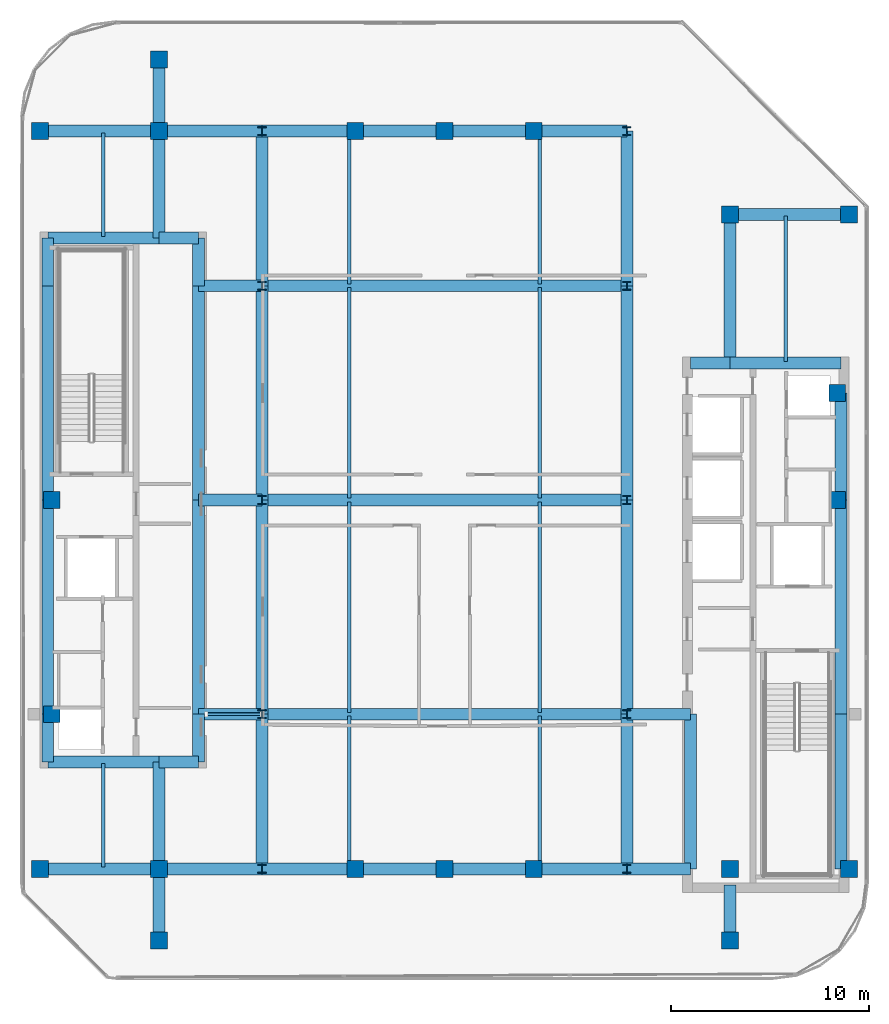
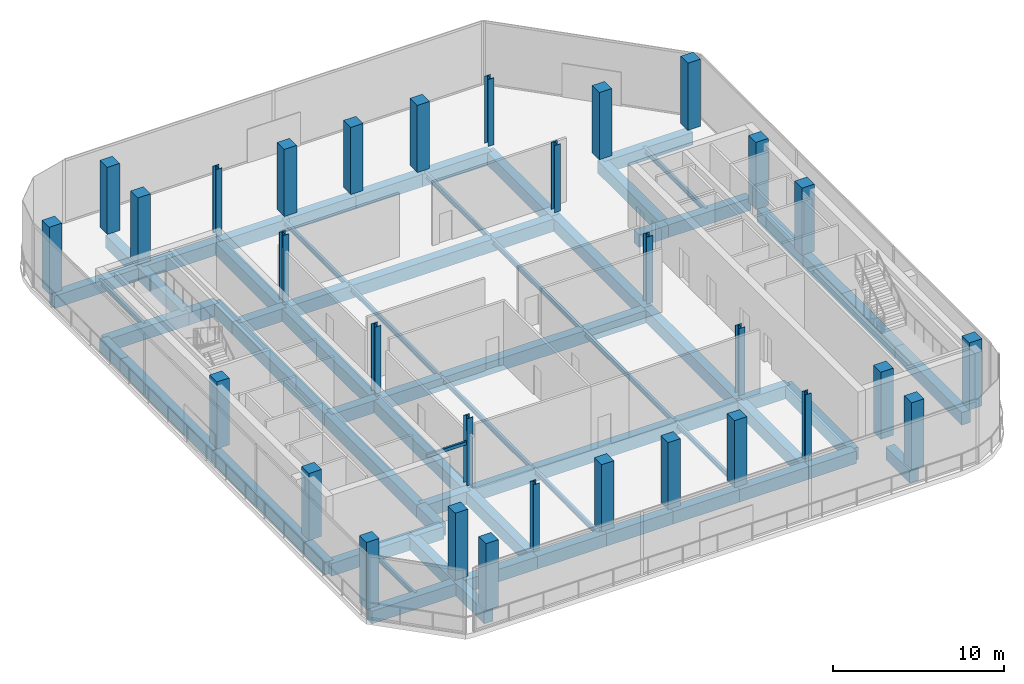
# One storey, part 1 of 13: 65 beams, 31 columns.
"""IFC4 building model written with IfcOpenShell, lengths in metres."""

import ifcopenshell
import ifcopenshell.guid

model = None  # the IFC model being written
_history = None  # IfcOwnerHistory: only IFC2X3 demands one
_inside = {}  # id of a spatial element -> (the spatial element, [elements in it])
_under = {}  # id of a project, library or spatial element -> (it, [spatial elements below it])
_declared = {}  # id of a project -> (the project, [libraries it declares])
_typed = {}  # id of a type object -> (the type object, [elements of that type])
_made_of = {}  # id of a material, layer set ... -> (it, [elements and type objects made of it])


def new_model(schema):
    """Start an empty IFC model of exactly this schema.

    Asked for "IFC4X3", IfcOpenShell would pick the latest addendum, in which some entities
    have other attributes; the version numbers below select the first issue.
    IFC2X3 requires an IfcOwnerHistory on every rooted entity: one is made here for all.
    """
    global model, _history
    if schema == "IFC4X3":
        model = ifcopenshell.file(schema_version=(4, 3, 0, 0))
    else:
        model = ifcopenshell.file(schema=schema)
    _inside.clear()
    _under.clear()
    _declared.clear()
    _typed.clear()
    _made_of.clear()
    _history = None
    if model.schema == "IFC2X3":
        org = make("IfcOrganization", Name="unknown")
        user = make(
            "IfcPersonAndOrganization",
            ThePerson=make("IfcPerson", FamilyName="unknown"),
            TheOrganization=org,
        )
        app = make(
            "IfcApplication",
            ApplicationDeveloper=org,
            Version="unknown",
            ApplicationFullName="unknown",
            ApplicationIdentifier="unknown",
        )
        _history = make(
            "IfcOwnerHistory",
            OwningUser=user,
            OwningApplication=app,
            ChangeAction="ADDED",
            CreationDate=0,
        )
    return model


def make(cls, **values):
    """One entity of the class cls with the attributes given. An attribute that is None is left unset."""
    return model.create_entity(
        cls, **{name: value for name, value in values.items() if value is not None}
    )


def rooted(cls, **values):
    """An entity with a GlobalId (a new one), such as an element, a storey or a relation."""
    return make(cls, GlobalId=ifcopenshell.guid.new(), OwnerHistory=_history, **values)


def si_unit(unit_type, name, prefix=None):
    """IfcSIUnit, for example si_unit("LENGTHUNIT", "METRE", prefix="MILLI")."""
    return make("IfcSIUnit", UnitType=unit_type, Prefix=prefix, Name=name)


def assignment(units):
    """IfcUnitAssignment: the units of a project."""
    return None if units is None else make("IfcUnitAssignment", Units=units)


def point(xyz):
    """IfcCartesianPoint."""
    return None if xyz is None else make("IfcCartesianPoint", Coordinates=xyz)


def direction(xyz):
    """IfcDirection."""
    return None if xyz is None else make("IfcDirection", DirectionRatios=xyz)


def frame(location, z_axis=None, x_axis=None):
    """IfcAxis2Placement3D, a coordinate frame: its origin and axes. An axis left out is left unset."""
    return make(
        "IfcAxis2Placement3D",
        Location=point(location),
        Axis=direction(z_axis),
        RefDirection=direction(x_axis),
    )


def frame_2d(location, x_axis=None):
    """IfcAxis2Placement2D, a coordinate frame in the plane: its origin and x axis."""
    return make(
        "IfcAxis2Placement2D", Location=point(location), RefDirection=direction(x_axis)
    )


def origin():
    """The frame at (0, 0, 0) with its axes left unset."""
    return frame((0.0, 0.0, 0.0))


def origin_2d():
    """The frame at (0, 0) in the plane with its x axis left unset."""
    return frame_2d((0.0, 0.0))


def place(relative_to, where):
    """IfcLocalPlacement: puts the frame where relative to a parent placement (None: the world)."""
    return make(
        "IfcLocalPlacement", PlacementRelTo=relative_to, RelativePlacement=where
    )


def context(
    kind, dimensions, precision=None, world=None, true_north=None, identifier=None
):
    """IfcGeometricRepresentationContext, for example the 3D "Model" context."""
    return make(
        "IfcGeometricRepresentationContext",
        ContextIdentifier=identifier,
        ContextType=kind,
        CoordinateSpaceDimension=dimensions,
        Precision=precision,
        WorldCoordinateSystem=world,
        TrueNorth=true_north,
    )


def subcontext(parent, identifier, kind, view, scale=None):
    """IfcGeometricRepresentationSubContext, for example "Body" below "Model"."""
    return make(
        "IfcGeometricRepresentationSubContext",
        ContextIdentifier=identifier,
        ContextType=kind,
        ParentContext=parent,
        TargetScale=scale,
        TargetView=view,
    )


def project(units=None, contexts=None):
    """IfcProject with its units and contexts."""
    return rooted(
        "IfcProject",
        Name="project",
        RepresentationContexts=contexts,
        UnitsInContext=assignment(units),
    )


def spatial(cls, under=None, at=None, **own):
    """A site, building, storey or space (cls), placed at a placement, below another one or the project."""
    s = rooted(cls, ObjectPlacement=at, **own)
    if under is not None:
        _under.setdefault(under.id(), (under, []))[1].append(s)
    return s


def profile(cls, at=None, kind="AREA", **sizes):
    """A parametric profile (cls). Its sizes go by their IFC names, for example OverallWidth=200.0."""
    return make(cls, ProfileType=kind, Position=at, **sizes)


def rectangle(**sizes):
    """IfcRectangleProfileDef."""
    return profile("IfcRectangleProfileDef", **sizes)


def hollow_rectangle(**sizes):
    """IfcRectangleHollowProfileDef."""
    return profile("IfcRectangleHollowProfileDef", **sizes)


def i_section(**sizes):
    """IfcIShapeProfileDef."""
    return profile("IfcIShapeProfileDef", **sizes)


def extrude(swept, where, along, depth):
    """IfcExtrudedAreaSolid: the profile swept, set in the frame where, extruded along a direction by depth."""
    return make(
        "IfcExtrudedAreaSolid",
        SweptArea=swept,
        Position=where,
        ExtrudedDirection=direction(along),
        Depth=depth,
    )


def shape(context_of_items, identifier, shape_type, items):
    """IfcShapeRepresentation: the items that make up one representation, for example the "Body"."""
    return make(
        "IfcShapeRepresentation",
        ContextOfItems=context_of_items,
        RepresentationIdentifier=identifier,
        RepresentationType=shape_type,
        Items=items,
    )


def material(Name=None, Category=None):
    """IfcMaterial."""
    return make("IfcMaterial", Name=Name, Category=Category)


def material_profile(
    of_material, cross_section, Name=None, Category=None, Priority=None
):
    """IfcMaterialProfile: a cross section and its material."""
    return make(
        "IfcMaterialProfile",
        Name=Name,
        Material=of_material,
        Profile=cross_section,
        Priority=Priority,
        Category=Category,
    )


def profile_set(profiles, Name=None, composite=None):
    """IfcMaterialProfileSet."""
    return make(
        "IfcMaterialProfileSet",
        Name=Name,
        MaterialProfiles=profiles,
        CompositeProfile=composite,
    )


def made_of(thing, what):
    """Note that an element or type object is made of a material, layer set ...; save() writes the relation."""
    if what is not None:
        _made_of.setdefault(what.id(), (what, []))[1].append(thing)
    return thing


def type_object(cls, material=None, **own):
    """A type object (cls), such as IfcWallType, which elements share."""
    return made_of(rooted(cls, **own), material)


def element(
    cls,
    number,
    at=None,
    inside=None,
    cuts=None,
    type_object=None,
    material=None,
    context=None,
    identifier="Body",
    shape_type=None,
    held_by="IfcProductDefinitionShape",
    body=None,
    shapes=None,
    **own,
):
    """One element of the class cls, such as IfcWall. Its Tag is "e" and its number.

    at: its placement. inside: the storey or other place that contains it. cuts: it is an
    opening in that element (IfcRelVoidsElement). A single representation is given by context,
    identifier, shape_type and body (its items); several are given by shapes. held_by: the class
    of the entity that holds the representations. save() writes the other relations.
    """
    e = rooted(cls, Tag="e%d" % number, ObjectPlacement=at, **own)
    if body is not None:
        shapes = [shape(context, identifier, shape_type, body)]
    if shapes is not None:
        e.Representation = make(held_by, Representations=shapes)
    if inside is not None:
        _inside.setdefault(inside.id(), (inside, []))[1].append(e)
    if cuts is not None:
        rooted(
            "IfcRelVoidsElement", RelatingBuildingElement=cuts, RelatedOpeningElement=e
        )
    if type_object is not None:
        _typed.setdefault(type_object.id(), (type_object, []))[1].append(e)
    return made_of(e, material)


def aggregate(whole, parts):
    """IfcRelAggregates: a whole, such as a stair, and the parts it consists of."""
    return rooted("IfcRelAggregates", RelatingObject=whole, RelatedObjects=parts)


def save(model, path):
    """Write the relations noted so far, then the file.

    IfcRelAggregates (storeys below a building ...), IfcRelContainedInSpatialStructure (elements
    in a storey), IfcRelDefinesByType, IfcRelAssociatesMaterial and IfcRelDeclares: one each for
    every whole, place, type object, material and project.
    """
    for whole, parts in _under.values():
        aggregate(whole, parts)
    for where, things in _inside.values():
        rooted(
            "IfcRelContainedInSpatialStructure",
            RelatedElements=things,
            RelatingStructure=where,
        )
    for kind, things in _typed.values():
        rooted("IfcRelDefinesByType", RelatedObjects=things, RelatingType=kind)
    for what, things in _made_of.values():
        rooted("IfcRelAssociatesMaterial", RelatedObjects=things, RelatingMaterial=what)
    for by, libraries in _declared.values():
        rooted("IfcRelDeclares", RelatingContext=by, RelatedDefinitions=libraries)
    model.write(path)


model = new_model("IFC4")

# Units and contexts
model_context = context("Model", 3, precision=1e-05, world=origin(), true_north=direction((0.0, 1.0)))
body_context = subcontext(model_context, "Body", "Model", "MODEL_VIEW")
ifc_project = project(units=[si_unit("LENGTHUNIT", "METRE"), si_unit("AREAUNIT", "SQUARE_METRE"), si_unit("VOLUMEUNIT", "CUBIC_METRE"), si_unit("PLANEANGLEUNIT", "RADIAN"), si_unit("MASSUNIT", "GRAM", prefix="KILO")], contexts=[model_context])

# Site, building, storey
site_placement = place(None, origin())
site = spatial("IfcSite", under=ifc_project, at=site_placement, CompositionType="ELEMENT")
building_placement = place(site_placement, origin())
building = spatial("IfcBuilding", under=site, at=building_placement, Name="Khairoan Windgate Tower", CompositionType="ELEMENT")
storey_placement = place(building_placement, frame((0.0, 0.0, 272.800048828125)))
storey = spatial("IfcBuildingStorey", under=building, at=storey_placement, Name="L65", CompositionType="ELEMENT", Elevation=272.800048828125)

# Columns
ifc_material_1 = material(Name="Concrete C50/60", Category="concrete")
ifc_material_profile_1 = material_profile(ifc_material_1, rectangle(XDim=0.85009765625, YDim=0.85009765625, at=origin_2d()))
ifc_profile_set_1 = profile_set([ifc_material_profile_1], Name="Concrete C50/60")
column_type_1 = type_object("IfcColumnType", Name="Column C-T5 RC850x850", PredefinedType="COLUMN", material=ifc_profile_set_1)
for number, where, z_axis, x_axis, name in (
    (1, (-20.39990234375, -18.60009765625, 0.0), (0.0, 0.0, 1.0), (1.0, 0.0, 0.0), "Column L65-11"),
    (2, (-20.39990234375, 18.60009765625, 0.0), (0.0, 0.0, 1.0), (1.0, 0.0, 0.0), "Column L65-12"),
    (3, (20.39990234375, -18.60009765625, 0.0), (0.0, 0.0, 1.0), (1.0, 0.0, 0.0), "Column L65-13"),
    (4, (20.39990234375, 14.39990234375, 0.0), (0.0, 0.0, 1.0), (1.0, 0.0, 0.0), "Column L65-14"),
    (5, (-14.39990234375, -18.60009765625, 0.0), (0.0, 0.0, 1.0), (1.0, 0.0, 0.0), "Column L65-15"),
    (6, (-14.39990234375, 18.60009765625, 0.0), (0.0, 0.0, 1.0), (1.0, 0.0, 0.0), "Column L65-16"),
    (7, (14.39990234375, -18.60009765625, 0.0), (0.0, 0.0, 1.0), (1.0, 0.0, 0.0), "Column L65-17"),
    (8, (14.39990234375, 14.39990234375, 0.0), (0.0, 0.0, 1.0), (1.0, 0.0, 0.0), "Column L65-18"),
    (9, (-4.5, -18.60009765625, 0.0), (0.0, 0.0, 1.0), (1.0, 0.0, 0.0), "Column L65-19"),
    (10, (0.0, -18.60009765625, 0.0), (0.0, 0.0, 1.0), (1.0, 0.0, 0.0), "Column L65-20"),
    (11, (4.5, -18.60009765625, 0.0), (0.0, 0.0, 1.0), (1.0, 0.0, 0.0), "Column L65-21"),
    (12, (-4.5, 18.60009765625, 0.0), (0.0, 0.0, 1.0), (1.0, 0.0, 0.0), "Column L65-22"),
    (13, (0.0, 18.60009765625, 0.0), (0.0, 0.0, 1.0), (1.0, 0.0, 0.0), "Column L65-23"),
    (14, (4.5, 18.60009765625, 0.0), (0.0, 0.0, 1.0), (1.0, 0.0, 0.0), "Column L65-24"),
    (15, (-19.800048828125, -10.800048828125, 0.0), (0.0, 0.0, 1.0), (1.0, 0.0, 0.0), "Column L65-25"),
    (16, (-19.800048828125, 0.0, 0.0), (0.0, 0.0, 1.0), (1.0, 0.0, 0.0), "Column L65-26"),
    (17, (19.800048828125, 0.0, 0.0), (0.0, 0.0, 1.0), (1.0, 0.0, 0.0), "Column L65-27"),
    (18, (19.800048828125, 5.39990234375, 0.0), (0.0, 0.0, 1.0), (1.0, 0.0, 0.0), "Column L65-28"),
    (19, (-14.39990234375, -22.199951171875, 0.0), (0.0, 0.0, 1.0), (1.0, 0.0, 0.0), "Column L65-29"),
    (20, (-14.39990234375, 22.199951171875, 0.0), (0.0, 0.0, 1.0), (1.0, 0.0, 0.0), "Column L65-30"),
    (21, (14.39990234375, -22.199951171875, 0.0), (0.0, 0.0, 1.0), (1.0, 0.0, 0.0), "Column L65-31"),
):
    element("IfcColumn", number, at=place(storey_placement, frame(where, z_axis=z_axis, x_axis=x_axis)), inside=storey, type_object=column_type_1, Name=name, PredefinedType="COLUMN", context=body_context, shape_type="SweptSolid", body=[
        extrude(rectangle(XDim=0.85009765625, YDim=0.85009765625, at=origin_2d()), origin(), (0.0, 0.0, 1.0), 4.800048828125),
    ])
ifc_material_2 = material(Name="Steel S355", Category="steel")
ifc_material_profile_2 = material_profile(ifc_material_2, i_section(OverallWidth=0.406982421875, OverallDepth=0.427978515625, WebThickness=0.02001953125, FlangeThickness=0.034912109375, FilletRadius=0.02197265625, at=origin_2d()))
ifc_profile_set_2 = profile_set([ifc_material_profile_2], Name="Steel S355")
column_type_2 = type_object("IfcColumnType", Name="Steel Column SC3 H428x407x20x35", PredefinedType="COLUMN", material=ifc_profile_set_2)
for number, where, z_axis, x_axis, name in (
    (22, (-9.199951171875, -18.60009765625, 0.0), (0.0, 0.0, 1.0), (1.0, 0.0, 0.0), "Column L65-01"),
    (23, (-9.199951171875, -10.800048828125, 0.0), (0.0, 0.0, 1.0), (1.0, 0.0, 0.0), "Column L65-02"),
    (24, (-9.199951171875, 0.0, 0.0), (0.0, 0.0, 1.0), (1.0, 0.0, 0.0), "Column L65-03"),
    (25, (-9.199951171875, 10.800048828125, 0.0), (0.0, 0.0, 1.0), (1.0, 0.0, 0.0), "Column L65-04"),
    (26, (-9.199951171875, 18.60009765625, 0.0), (0.0, 0.0, 1.0), (1.0, 0.0, 0.0), "Column L65-05"),
    (27, (9.199951171875, -18.60009765625, 0.0), (0.0, 0.0, 1.0), (1.0, 0.0, 0.0), "Column L65-06"),
    (28, (9.199951171875, -10.800048828125, 0.0), (0.0, 0.0, 1.0), (1.0, 0.0, 0.0), "Column L65-07"),
    (29, (9.199951171875, 0.0, 0.0), (0.0, 0.0, 1.0), (1.0, 0.0, 0.0), "Column L65-08"),
    (30, (9.199951171875, 10.800048828125, 0.0), (0.0, 0.0, 1.0), (1.0, 0.0, 0.0), "Column L65-09"),
    (31, (9.199951171875, 18.60009765625, 0.0), (0.0, 0.0, 1.0), (1.0, 0.0, 0.0), "Column L65-10"),
):
    element("IfcColumn", number, at=place(storey_placement, frame(where, z_axis=z_axis, x_axis=x_axis)), inside=storey, type_object=column_type_2, Name=name, PredefinedType="COLUMN", context=body_context, shape_type="SweptSolid", body=[
        extrude(i_section(OverallWidth=0.406982421875, OverallDepth=0.427978515625, WebThickness=0.02001953125, FlangeThickness=0.034912109375, FilletRadius=0.02197265625, at=origin_2d()), origin(), (0.0, 0.0, 1.0), 4.800048828125),
    ])

# Beams
ifc_material_3 = material(Name="Concrete C50/60", Category="concrete")
ifc_material_profile_3 = material_profile(ifc_material_3, rectangle(XDim=0.60009765625, YDim=0.89990234375, at=origin_2d()))
ifc_profile_set_3 = profile_set([ifc_material_profile_3], Name="Concrete C50/60")
beam_type_1 = type_object("IfcBeamType", Name="Beam B-RC1 RC600x900", PredefinedType="BEAM", material=ifc_profile_set_3)
beam_1_placement = place(storey_placement, frame((-20.39990234375, -18.60009765625, -0.800048828125), z_axis=(1.0, 0.0, 0.0), x_axis=(0.0, 1.0, 0.0)))
element("IfcBeam", 32, at=beam_1_placement, inside=storey, type_object=beam_type_1, Name="L65 E-W Primary Girder 01", PredefinedType="BEAM", context=body_context, shape_type="SweptSolid", body=[
    extrude(rectangle(XDim=0.60009765625, YDim=0.89990234375, at=origin_2d()), origin(), (0.0, 0.0, 1.0), 6.0),
])
beam_2_placement = place(storey_placement, frame((-14.39990234375, -18.60009765625, -0.800048828125), z_axis=(1.0, 0.0, 0.0), x_axis=(0.0, 1.0, 0.0)))
element("IfcBeam", 33, at=beam_2_placement, inside=storey, type_object=beam_type_1, Name="L65 E-W Primary Girder 02", PredefinedType="BEAM", context=body_context, shape_type="SweptSolid", body=[
    extrude(rectangle(XDim=0.60009765625, YDim=0.89990234375, at=origin_2d()), origin(), (0.0, 0.0, 1.0), 5.199951171875),
])
beam_3_placement = place(storey_placement, frame((-9.199951171875, -18.60009765625, -0.800048828125), z_axis=(1.0, 0.0, 0.0), x_axis=(0.0, 1.0, 0.0)))
element("IfcBeam", 34, at=beam_3_placement, inside=storey, type_object=beam_type_1, Name="L65 E-W Primary Girder 03", PredefinedType="BEAM", context=body_context, shape_type="SweptSolid", body=[
    extrude(rectangle(XDim=0.60009765625, YDim=0.89990234375, at=origin_2d()), origin(), (0.0, 0.0, 1.0), 4.699951171875),
])
for number, where, z_axis, x_axis, name in (
    (35, (-4.5, -18.60009765625, -0.800048828125), (1.0, 0.0, 0.0), (0.0, 1.0, 0.0), "L65 E-W Primary Girder 04"),
    (36, (0.0, -18.60009765625, -0.800048828125), (1.0, 0.0, 0.0), (0.0, 1.0, 0.0), "L65 E-W Primary Girder 05"),
):
    element("IfcBeam", number, at=place(storey_placement, frame(where, z_axis=z_axis, x_axis=x_axis)), inside=storey, type_object=beam_type_1, Name=name, PredefinedType="BEAM", context=body_context, shape_type="SweptSolid", body=[
        extrude(rectangle(XDim=0.60009765625, YDim=0.89990234375, at=origin_2d()), origin(), (0.0, 0.0, 1.0), 4.5),
    ])
beam_4_placement = place(storey_placement, frame((4.5, -18.60009765625, -0.800048828125), z_axis=(1.0, 0.0, 0.0), x_axis=(0.0, 1.0, 0.0)))
element("IfcBeam", 37, at=beam_4_placement, inside=storey, type_object=beam_type_1, Name="L65 E-W Primary Girder 06", PredefinedType="BEAM", context=body_context, shape_type="SweptSolid", body=[
    extrude(rectangle(XDim=0.60009765625, YDim=0.89990234375, at=origin_2d()), origin(), (0.0, 0.0, 1.0), 4.699951171875),
])
beam_5_placement = place(storey_placement, frame((9.199951171875, -18.60009765625, -0.800048828125), z_axis=(1.0, 0.0, 0.0), x_axis=(0.0, 1.0, 0.0)))
element("IfcBeam", 38, at=beam_5_placement, inside=storey, type_object=beam_type_1, Name="L65 E-W Primary Girder 07", PredefinedType="BEAM", context=body_context, shape_type="SweptSolid", body=[
    extrude(rectangle(XDim=0.60009765625, YDim=0.89990234375, at=origin_2d()), origin(), (0.0, 0.0, 1.0), 3.199951171875),
])
beam_6_placement = place(storey_placement, frame((-20.0, -13.199951171875, -0.800048828125), z_axis=(1.0, 0.0, 0.0), x_axis=(0.0, 1.0, 0.0)))
element("IfcBeam", 39, at=beam_6_placement, inside=storey, type_object=beam_type_1, Name="L65 E-W Primary Girder 08", PredefinedType="BEAM", context=body_context, shape_type="SweptSolid", body=[
    extrude(rectangle(XDim=0.60009765625, YDim=0.89990234375, at=origin_2d()), origin(), (0.0, 0.0, 1.0), 5.60009765625),
])
beam_7_placement = place(storey_placement, frame((-14.39990234375, -13.199951171875, -0.800048828125), z_axis=(1.0, 0.0, 0.0), x_axis=(0.0, 1.0, 0.0)))
element("IfcBeam", 40, at=beam_7_placement, inside=storey, type_object=beam_type_1, Name="L65 E-W Primary Girder 09", PredefinedType="BEAM", context=body_context, shape_type="SweptSolid", body=[
    extrude(rectangle(XDim=0.60009765625, YDim=0.89990234375, at=origin_2d()), origin(), (0.0, 0.0, 1.0), 2.0),
])
beam_8_placement = place(storey_placement, frame((-12.39990234375, -10.800048828125, -0.800048828125), z_axis=(1.0, 0.0, 0.0), x_axis=(0.0, 1.0, 0.0)))
element("IfcBeam", 41, at=beam_8_placement, inside=storey, type_object=beam_type_1, Name="L65 E-W Primary Girder 10", PredefinedType="BEAM", context=body_context, shape_type="SweptSolid", body=[
    extrude(rectangle(XDim=0.60009765625, YDim=0.89990234375, at=origin_2d()), origin(), (0.0, 0.0, 1.0), 3.199951171875),
])
beam_9_placement = place(storey_placement, frame((-9.199951171875, -10.800048828125, -0.800048828125), z_axis=(1.0, 0.0, 0.0), x_axis=(0.0, 1.0, 0.0)))
element("IfcBeam", 42, at=beam_9_placement, inside=storey, type_object=beam_type_1, Name="L65 E-W Primary Girder 11", PredefinedType="BEAM", context=body_context, shape_type="SweptSolid", body=[
    extrude(rectangle(XDim=0.60009765625, YDim=0.89990234375, at=origin_2d()), origin(), (0.0, 0.0, 1.0), 18.39990234375),
])
for number, where, z_axis, x_axis, name in (
    (43, (9.199951171875, -10.800048828125, -0.800048828125), (1.0, 0.0, 0.0), (0.0, 1.0, 0.0), "L65 E-W Primary Girder 12"),
    (44, (-12.39990234375, 0.0, -0.800048828125), (1.0, 0.0, 0.0), (0.0, 1.0, 0.0), "L65 E-W Primary Girder 13"),
):
    element("IfcBeam", number, at=place(storey_placement, frame(where, z_axis=z_axis, x_axis=x_axis)), inside=storey, type_object=beam_type_1, Name=name, PredefinedType="BEAM", context=body_context, shape_type="SweptSolid", body=[
        extrude(rectangle(XDim=0.60009765625, YDim=0.89990234375, at=origin_2d()), origin(), (0.0, 0.0, 1.0), 3.199951171875),
    ])
beam_10_placement = place(storey_placement, frame((-9.199951171875, 0.0, -0.800048828125), z_axis=(1.0, 0.0, 0.0), x_axis=(0.0, 1.0, 0.0)))
element("IfcBeam", 45, at=beam_10_placement, inside=storey, type_object=beam_type_1, Name="L65 E-W Primary Girder 14", PredefinedType="BEAM", context=body_context, shape_type="SweptSolid", body=[
    extrude(rectangle(XDim=0.60009765625, YDim=0.89990234375, at=origin_2d()), origin(), (0.0, 0.0, 1.0), 18.39990234375),
])
beam_11_placement = place(storey_placement, frame((12.39990234375, 6.89990234375, -0.800048828125), z_axis=(1.0, 0.0, 0.0), x_axis=(0.0, 1.0, 0.0)))
element("IfcBeam", 46, at=beam_11_placement, inside=storey, type_object=beam_type_1, Name="L65 E-W Primary Girder 15", PredefinedType="BEAM", context=body_context, shape_type="SweptSolid", body=[
    extrude(rectangle(XDim=0.60009765625, YDim=0.89990234375, at=origin_2d()), origin(), (0.0, 0.0, 1.0), 2.0),
])
beam_12_placement = place(storey_placement, frame((14.39990234375, 6.89990234375, -0.800048828125), z_axis=(1.0, 0.0, 0.0), x_axis=(0.0, 1.0, 0.0)))
element("IfcBeam", 47, at=beam_12_placement, inside=storey, type_object=beam_type_1, Name="L65 E-W Primary Girder 16", PredefinedType="BEAM", context=body_context, shape_type="SweptSolid", body=[
    extrude(rectangle(XDim=0.60009765625, YDim=0.89990234375, at=origin_2d()), origin(), (0.0, 0.0, 1.0), 5.60009765625),
])
beam_13_placement = place(storey_placement, frame((-12.39990234375, 10.800048828125, -0.800048828125), z_axis=(1.0, 0.0, 0.0), x_axis=(0.0, 1.0, 0.0)))
element("IfcBeam", 48, at=beam_13_placement, inside=storey, type_object=beam_type_1, Name="L65 E-W Primary Girder 17", PredefinedType="BEAM", context=body_context, shape_type="SweptSolid", body=[
    extrude(rectangle(XDim=0.60009765625, YDim=0.89990234375, at=origin_2d()), origin(), (0.0, 0.0, 1.0), 3.199951171875),
])
beam_14_placement = place(storey_placement, frame((-9.199951171875, 10.800048828125, -0.800048828125), z_axis=(1.0, 0.0, 0.0), x_axis=(0.0, 1.0, 0.0)))
element("IfcBeam", 49, at=beam_14_placement, inside=storey, type_object=beam_type_1, Name="L65 E-W Primary Girder 18", PredefinedType="BEAM", context=body_context, shape_type="SweptSolid", body=[
    extrude(rectangle(XDim=0.60009765625, YDim=0.89990234375, at=origin_2d()), origin(), (0.0, 0.0, 1.0), 18.39990234375),
])
beam_15_placement = place(storey_placement, frame((-20.0, 13.199951171875, -0.800048828125), z_axis=(1.0, 0.0, 0.0), x_axis=(0.0, 1.0, 0.0)))
element("IfcBeam", 50, at=beam_15_placement, inside=storey, type_object=beam_type_1, Name="L65 E-W Primary Girder 19", PredefinedType="BEAM", context=body_context, shape_type="SweptSolid", body=[
    extrude(rectangle(XDim=0.60009765625, YDim=0.89990234375, at=origin_2d()), origin(), (0.0, 0.0, 1.0), 5.60009765625),
])
beam_16_placement = place(storey_placement, frame((-14.39990234375, 13.199951171875, -0.800048828125), z_axis=(1.0, 0.0, 0.0), x_axis=(0.0, 1.0, 0.0)))
element("IfcBeam", 51, at=beam_16_placement, inside=storey, type_object=beam_type_1, Name="L65 E-W Primary Girder 20", PredefinedType="BEAM", context=body_context, shape_type="SweptSolid", body=[
    extrude(rectangle(XDim=0.60009765625, YDim=0.89990234375, at=origin_2d()), origin(), (0.0, 0.0, 1.0), 2.0),
])
for number, where, z_axis, x_axis, name in (
    (52, (14.39990234375, 14.39990234375, -0.800048828125), (1.0, 0.0, 0.0), (0.0, 1.0, 0.0), "L65 E-W Primary Girder 21"),
    (53, (-20.39990234375, 18.60009765625, -0.800048828125), (1.0, 0.0, 0.0), (0.0, 1.0, 0.0), "L65 E-W Primary Girder 22"),
):
    element("IfcBeam", number, at=place(storey_placement, frame(where, z_axis=z_axis, x_axis=x_axis)), inside=storey, type_object=beam_type_1, Name=name, PredefinedType="BEAM", context=body_context, shape_type="SweptSolid", body=[
        extrude(rectangle(XDim=0.60009765625, YDim=0.89990234375, at=origin_2d()), origin(), (0.0, 0.0, 1.0), 6.0),
    ])
beam_17_placement = place(storey_placement, frame((-14.39990234375, 18.60009765625, -0.800048828125), z_axis=(1.0, 0.0, 0.0), x_axis=(0.0, 1.0, 0.0)))
element("IfcBeam", 54, at=beam_17_placement, inside=storey, type_object=beam_type_1, Name="L65 E-W Primary Girder 23", PredefinedType="BEAM", context=body_context, shape_type="SweptSolid", body=[
    extrude(rectangle(XDim=0.60009765625, YDim=0.89990234375, at=origin_2d()), origin(), (0.0, 0.0, 1.0), 5.199951171875),
])
beam_18_placement = place(storey_placement, frame((-9.199951171875, 18.60009765625, -0.800048828125), z_axis=(1.0, 0.0, 0.0), x_axis=(0.0, 1.0, 0.0)))
element("IfcBeam", 55, at=beam_18_placement, inside=storey, type_object=beam_type_1, Name="L65 E-W Primary Girder 24", PredefinedType="BEAM", context=body_context, shape_type="SweptSolid", body=[
    extrude(rectangle(XDim=0.60009765625, YDim=0.89990234375, at=origin_2d()), origin(), (0.0, 0.0, 1.0), 4.699951171875),
])
for number, where, z_axis, x_axis, name in (
    (56, (-4.5, 18.60009765625, -0.800048828125), (1.0, 0.0, 0.0), (0.0, 1.0, 0.0), "L65 E-W Primary Girder 25"),
    (57, (0.0, 18.60009765625, -0.800048828125), (1.0, 0.0, 0.0), (0.0, 1.0, 0.0), "L65 E-W Primary Girder 26"),
):
    element("IfcBeam", number, at=place(storey_placement, frame(where, z_axis=z_axis, x_axis=x_axis)), inside=storey, type_object=beam_type_1, Name=name, PredefinedType="BEAM", context=body_context, shape_type="SweptSolid", body=[
        extrude(rectangle(XDim=0.60009765625, YDim=0.89990234375, at=origin_2d()), origin(), (0.0, 0.0, 1.0), 4.5),
    ])
beam_19_placement = place(storey_placement, frame((4.5, 18.60009765625, -0.800048828125), z_axis=(1.0, 0.0, 0.0), x_axis=(0.0, 1.0, 0.0)))
element("IfcBeam", 58, at=beam_19_placement, inside=storey, type_object=beam_type_1, Name="L65 E-W Primary Girder 27", PredefinedType="BEAM", context=body_context, shape_type="SweptSolid", body=[
    extrude(rectangle(XDim=0.60009765625, YDim=0.89990234375, at=origin_2d()), origin(), (0.0, 0.0, 1.0), 4.699951171875),
])
beam_20_placement = place(storey_placement, frame((-20.0, -13.199951171875, -0.800048828125), z_axis=(0.0, 1.0, 0.0), x_axis=(-1.0, 0.0, 0.0)))
element("IfcBeam", 59, at=beam_20_placement, inside=storey, type_object=beam_type_1, Name="L65 N-S Primary Beam 28", PredefinedType="BEAM", context=body_context, shape_type="SweptSolid", body=[
    extrude(rectangle(XDim=0.60009765625, YDim=0.89990234375, at=origin_2d()), origin(), (0.0, 0.0, 1.0), 2.39990234375),
])
for number, where, z_axis, x_axis, name in (
    (60, (-20.0, -10.800048828125, -0.800048828125), (0.0, 1.0, 0.0), (-1.0, 0.0, 0.0), "L65 N-S Primary Beam 29"),
    (61, (-20.0, 0.0, -0.800048828125), (0.0, 1.0, 0.0), (-1.0, 0.0, 0.0), "L65 N-S Primary Beam 30"),
):
    element("IfcBeam", number, at=place(storey_placement, frame(where, z_axis=z_axis, x_axis=x_axis)), inside=storey, type_object=beam_type_1, Name=name, PredefinedType="BEAM", context=body_context, shape_type="SweptSolid", body=[
        extrude(rectangle(XDim=0.60009765625, YDim=0.89990234375, at=origin_2d()), origin(), (0.0, 0.0, 1.0), 10.800048828125),
    ])
beam_21_placement = place(storey_placement, frame((-20.0, 10.800048828125, -0.800048828125), z_axis=(0.0, 1.0, 0.0), x_axis=(-1.0, 0.0, 0.0)))
element("IfcBeam", 62, at=beam_21_placement, inside=storey, type_object=beam_type_1, Name="L65 N-S Primary Beam 31", PredefinedType="BEAM", context=body_context, shape_type="SweptSolid", body=[
    extrude(rectangle(XDim=0.60009765625, YDim=0.89990234375, at=origin_2d()), origin(), (0.0, 0.0, 1.0), 2.39990234375),
])
beam_22_placement = place(storey_placement, frame((-14.39990234375, -22.199951171875, -0.800048828125), z_axis=(0.0, 1.0, 0.0), x_axis=(-1.0, 0.0, 0.0)))
element("IfcBeam", 63, at=beam_22_placement, inside=storey, type_object=beam_type_1, Name="L65 N-S Primary Beam 32", PredefinedType="BEAM", context=body_context, shape_type="SweptSolid", body=[
    extrude(rectangle(XDim=0.60009765625, YDim=0.89990234375, at=origin_2d()), origin(), (0.0, 0.0, 1.0), 3.599853515625),
])
for number, where, z_axis, x_axis, name in (
    (64, (-14.39990234375, -18.60009765625, -0.800048828125), (0.0, 1.0, 0.0), (-1.0, 0.0, 0.0), "L65 N-S Primary Beam 33"),
    (65, (-14.39990234375, 13.199951171875, -0.800048828125), (0.0, 1.0, 0.0), (-1.0, 0.0, 0.0), "L65 N-S Primary Beam 34"),
):
    element("IfcBeam", number, at=place(storey_placement, frame(where, z_axis=z_axis, x_axis=x_axis)), inside=storey, type_object=beam_type_1, Name=name, PredefinedType="BEAM", context=body_context, shape_type="SweptSolid", body=[
        extrude(rectangle(XDim=0.60009765625, YDim=0.89990234375, at=origin_2d()), origin(), (0.0, 0.0, 1.0), 5.400146484375),
    ])
beam_23_placement = place(storey_placement, frame((-14.39990234375, 18.60009765625, -0.800048828125), z_axis=(0.0, 1.0, 0.0), x_axis=(-1.0, 0.0, 0.0)))
element("IfcBeam", 66, at=beam_23_placement, inside=storey, type_object=beam_type_1, Name="L65 N-S Primary Beam 35", PredefinedType="BEAM", context=body_context, shape_type="SweptSolid", body=[
    extrude(rectangle(XDim=0.60009765625, YDim=0.89990234375, at=origin_2d()), origin(), (0.0, 0.0, 1.0), 3.599853515625),
])
beam_24_placement = place(storey_placement, frame((-12.39990234375, -13.199951171875, -0.800048828125), z_axis=(0.0, 1.0, 0.0), x_axis=(-1.0, 0.0, 0.0)))
element("IfcBeam", 67, at=beam_24_placement, inside=storey, type_object=beam_type_1, Name="L65 N-S Primary Beam 36", PredefinedType="BEAM", context=body_context, shape_type="SweptSolid", body=[
    extrude(rectangle(XDim=0.60009765625, YDim=0.89990234375, at=origin_2d()), origin(), (0.0, 0.0, 1.0), 2.39990234375),
])
for number, where, z_axis, x_axis, name in (
    (68, (-12.39990234375, -10.800048828125, -0.800048828125), (0.0, 1.0, 0.0), (-1.0, 0.0, 0.0), "L65 N-S Primary Beam 37"),
    (69, (-12.39990234375, 0.0, -0.800048828125), (0.0, 1.0, 0.0), (-1.0, 0.0, 0.0), "L65 N-S Primary Beam 38"),
):
    element("IfcBeam", number, at=place(storey_placement, frame(where, z_axis=z_axis, x_axis=x_axis)), inside=storey, type_object=beam_type_1, Name=name, PredefinedType="BEAM", context=body_context, shape_type="SweptSolid", body=[
        extrude(rectangle(XDim=0.60009765625, YDim=0.89990234375, at=origin_2d()), origin(), (0.0, 0.0, 1.0), 10.800048828125),
    ])
beam_25_placement = place(storey_placement, frame((-12.39990234375, 10.800048828125, -0.800048828125), z_axis=(0.0, 1.0, 0.0), x_axis=(-1.0, 0.0, 0.0)))
element("IfcBeam", 70, at=beam_25_placement, inside=storey, type_object=beam_type_1, Name="L65 N-S Primary Beam 39", PredefinedType="BEAM", context=body_context, shape_type="SweptSolid", body=[
    extrude(rectangle(XDim=0.60009765625, YDim=0.89990234375, at=origin_2d()), origin(), (0.0, 0.0, 1.0), 2.39990234375),
])
beam_26_placement = place(storey_placement, frame((-9.199951171875, -18.60009765625, -0.800048828125), z_axis=(0.0, 1.0, 0.0), x_axis=(-1.0, 0.0, 0.0)))
element("IfcBeam", 71, at=beam_26_placement, inside=storey, type_object=beam_type_1, Name="L65 N-S Primary Beam 40", PredefinedType="BEAM", context=body_context, shape_type="SweptSolid", body=[
    extrude(rectangle(XDim=0.60009765625, YDim=0.89990234375, at=origin_2d()), origin(), (0.0, 0.0, 1.0), 7.800048828125),
])
for number, where, z_axis, x_axis, name in (
    (72, (-9.199951171875, -10.800048828125, -0.800048828125), (0.0, 1.0, 0.0), (-1.0, 0.0, 0.0), "L65 N-S Primary Beam 41"),
    (73, (-9.199951171875, 0.0, -0.800048828125), (0.0, 1.0, 0.0), (-1.0, 0.0, 0.0), "L65 N-S Primary Beam 42"),
):
    element("IfcBeam", number, at=place(storey_placement, frame(where, z_axis=z_axis, x_axis=x_axis)), inside=storey, type_object=beam_type_1, Name=name, PredefinedType="BEAM", context=body_context, shape_type="SweptSolid", body=[
        extrude(rectangle(XDim=0.60009765625, YDim=0.89990234375, at=origin_2d()), origin(), (0.0, 0.0, 1.0), 10.800048828125),
    ])
for number, where, z_axis, x_axis, name in (
    (74, (-9.199951171875, 10.800048828125, -0.800048828125), (0.0, 1.0, 0.0), (-1.0, 0.0, 0.0), "L65 N-S Primary Beam 43"),
    (75, (9.199951171875, -18.60009765625, -0.800048828125), (0.0, 1.0, 0.0), (-1.0, 0.0, 0.0), "L65 N-S Primary Beam 44"),
):
    element("IfcBeam", number, at=place(storey_placement, frame(where, z_axis=z_axis, x_axis=x_axis)), inside=storey, type_object=beam_type_1, Name=name, PredefinedType="BEAM", context=body_context, shape_type="SweptSolid", body=[
        extrude(rectangle(XDim=0.60009765625, YDim=0.89990234375, at=origin_2d()), origin(), (0.0, 0.0, 1.0), 7.800048828125),
    ])
for number, where, z_axis, x_axis, name in (
    (76, (9.199951171875, -10.800048828125, -0.800048828125), (0.0, 1.0, 0.0), (-1.0, 0.0, 0.0), "L65 N-S Primary Beam 45"),
    (77, (9.199951171875, 0.0, -0.800048828125), (0.0, 1.0, 0.0), (-1.0, 0.0, 0.0), "L65 N-S Primary Beam 46"),
):
    element("IfcBeam", number, at=place(storey_placement, frame(where, z_axis=z_axis, x_axis=x_axis)), inside=storey, type_object=beam_type_1, Name=name, PredefinedType="BEAM", context=body_context, shape_type="SweptSolid", body=[
        extrude(rectangle(XDim=0.60009765625, YDim=0.89990234375, at=origin_2d()), origin(), (0.0, 0.0, 1.0), 10.800048828125),
    ])
for number, where, z_axis, x_axis, name in (
    (78, (9.199951171875, 10.800048828125, -0.800048828125), (0.0, 1.0, 0.0), (-1.0, 0.0, 0.0), "L65 N-S Primary Beam 47"),
    (79, (12.39990234375, -18.60009765625, -0.800048828125), (0.0, 1.0, 0.0), (-1.0, 0.0, 0.0), "L65 N-S Primary Beam 48"),
):
    element("IfcBeam", number, at=place(storey_placement, frame(where, z_axis=z_axis, x_axis=x_axis)), inside=storey, type_object=beam_type_1, Name=name, PredefinedType="BEAM", context=body_context, shape_type="SweptSolid", body=[
        extrude(rectangle(XDim=0.60009765625, YDim=0.89990234375, at=origin_2d()), origin(), (0.0, 0.0, 1.0), 7.800048828125),
    ])
beam_27_placement = place(storey_placement, frame((14.39990234375, -22.199951171875, -0.800048828125), z_axis=(0.0, 1.0, 0.0), x_axis=(-1.0, 0.0, 0.0)))
element("IfcBeam", 80, at=beam_27_placement, inside=storey, type_object=beam_type_1, Name="L65 N-S Primary Beam 49", PredefinedType="BEAM", context=body_context, shape_type="SweptSolid", body=[
    extrude(rectangle(XDim=0.60009765625, YDim=0.89990234375, at=origin_2d()), origin(), (0.0, 0.0, 1.0), 2.800048828125),
])
beam_28_placement = place(storey_placement, frame((14.39990234375, 6.89990234375, -0.800048828125), z_axis=(0.0, 1.0, 0.0), x_axis=(-1.0, 0.0, 0.0)))
element("IfcBeam", 81, at=beam_28_placement, inside=storey, type_object=beam_type_1, Name="L65 N-S Primary Beam 50", PredefinedType="BEAM", context=body_context, shape_type="SweptSolid", body=[
    extrude(rectangle(XDim=0.60009765625, YDim=0.89990234375, at=origin_2d()), origin(), (0.0, 0.0, 1.0), 7.5),
])
beam_29_placement = place(storey_placement, frame((20.0, -18.60009765625, -0.800048828125), z_axis=(0.0, 1.0, 0.0), x_axis=(-1.0, 0.0, 0.0)))
element("IfcBeam", 82, at=beam_29_placement, inside=storey, type_object=beam_type_1, Name="L65 N-S Primary Beam 51", PredefinedType="BEAM", context=body_context, shape_type="SweptSolid", body=[
    extrude(rectangle(XDim=0.60009765625, YDim=0.89990234375, at=origin_2d()), origin(), (0.0, 0.0, 1.0), 7.800048828125),
])
beam_30_placement = place(storey_placement, frame((20.0, -10.800048828125, -0.800048828125), z_axis=(0.0, 1.0, 0.0), x_axis=(-1.0, 0.0, 0.0)))
element("IfcBeam", 83, at=beam_30_placement, inside=storey, type_object=beam_type_1, Name="L65 N-S Primary Beam 52", PredefinedType="BEAM", context=body_context, shape_type="SweptSolid", body=[
    extrude(rectangle(XDim=0.60009765625, YDim=0.89990234375, at=origin_2d()), origin(), (0.0, 0.0, 1.0), 10.800048828125),
])
beam_31_placement = place(storey_placement, frame((20.0, 0.0, -0.800048828125), z_axis=(0.0, 1.0, 0.0), x_axis=(-1.0, 0.0, 0.0)))
element("IfcBeam", 84, at=beam_31_placement, inside=storey, type_object=beam_type_1, Name="L65 N-S Primary Beam 53", PredefinedType="BEAM", context=body_context, shape_type="SweptSolid", body=[
    extrude(rectangle(XDim=0.60009765625, YDim=0.89990234375, at=origin_2d()), origin(), (0.0, 0.0, 1.0), 5.39990234375),
])
ifc_material_4 = material(Name="Steel S355", Category="steel")
ifc_material_profile_4 = material_profile(ifc_material_4, i_section(OverallWidth=0.175048828125, OverallDepth=0.35009765625, WebThickness=0.007080078125, FlangeThickness=0.010986328125, FilletRadius=0.013916015625, at=origin_2d()))
ifc_profile_set_4 = profile_set([ifc_material_profile_4], Name="Steel S355")
beam_type_2 = type_object("IfcBeamType", Name="Beam J-S5 H350x175x7x11", PredefinedType="JOIST", material=ifc_profile_set_4)
for number, where, z_axis, x_axis, name in (
    (85, (-17.199951171875, -18.510009765625, -0.525146484375), (0.0, 1.0, 0.0), (-1.0, 0.0, 0.0), "L65 Secondary Floor Joist 01"),
    (86, (-17.199951171875, 13.2900390625, -0.525146484375), (0.0, 1.0, 0.0), (-1.0, 0.0, 0.0), "L65 Secondary Floor Joist 02"),
):
    element("IfcBeam", number, at=place(storey_placement, frame(where, z_axis=z_axis, x_axis=x_axis)), inside=storey, type_object=beam_type_2, Name=name, PredefinedType="JOIST", context=body_context, shape_type="SweptSolid", body=[
        extrude(i_section(OverallWidth=0.175048828125, OverallDepth=0.35009765625, WebThickness=0.007080078125, FlangeThickness=0.010986328125, FilletRadius=0.013916015625, at=origin_2d()), origin(), (0.0, 0.0, 1.0), 5.219970703125),
    ])
beam_32_placement = place(storey_placement, frame((-4.800048828125, -18.510009765625, -0.525146484375), z_axis=(0.0, 1.0, 0.0), x_axis=(-1.0, 0.0, 0.0)))
element("IfcBeam", 87, at=beam_32_placement, inside=storey, type_object=beam_type_2, Name="L65 Secondary Floor Joist 03", PredefinedType="JOIST", context=body_context, shape_type="SweptSolid", body=[
    extrude(i_section(OverallWidth=0.175048828125, OverallDepth=0.35009765625, WebThickness=0.007080078125, FlangeThickness=0.010986328125, FilletRadius=0.013916015625, at=origin_2d()), origin(), (0.0, 0.0, 1.0), 7.6201171875),
])
for number, where, z_axis, x_axis, name in (
    (88, (-4.800048828125, -10.7099609375, -0.525146484375), (0.0, 1.0, 0.0), (-1.0, 0.0, 0.0), "L65 Secondary Floor Joist 04"),
    (89, (-4.800048828125, 0.090087890625, -0.525146484375), (0.0, 1.0, 0.0), (-1.0, 0.0, 0.0), "L65 Secondary Floor Joist 05"),
):
    element("IfcBeam", number, at=place(storey_placement, frame(where, z_axis=z_axis, x_axis=x_axis)), inside=storey, type_object=beam_type_2, Name=name, PredefinedType="JOIST", context=body_context, shape_type="SweptSolid", body=[
        extrude(i_section(OverallWidth=0.175048828125, OverallDepth=0.35009765625, WebThickness=0.007080078125, FlangeThickness=0.010986328125, FilletRadius=0.013916015625, at=origin_2d()), origin(), (0.0, 0.0, 1.0), 10.619873046875),
    ])
for number, where, z_axis, x_axis, name in (
    (90, (-4.800048828125, 10.889892578125, -0.525146484375), (0.0, 1.0, 0.0), (-1.0, 0.0, 0.0), "L65 Secondary Floor Joist 06"),
    (91, (4.800048828125, -18.510009765625, -0.525146484375), (0.0, 1.0, 0.0), (-1.0, 0.0, 0.0), "L65 Secondary Floor Joist 07"),
):
    element("IfcBeam", number, at=place(storey_placement, frame(where, z_axis=z_axis, x_axis=x_axis)), inside=storey, type_object=beam_type_2, Name=name, PredefinedType="JOIST", context=body_context, shape_type="SweptSolid", body=[
        extrude(i_section(OverallWidth=0.175048828125, OverallDepth=0.35009765625, WebThickness=0.007080078125, FlangeThickness=0.010986328125, FilletRadius=0.013916015625, at=origin_2d()), origin(), (0.0, 0.0, 1.0), 7.6201171875),
    ])
for number, where, z_axis, x_axis, name in (
    (92, (4.800048828125, -10.7099609375, -0.525146484375), (0.0, 1.0, 0.0), (-1.0, 0.0, 0.0), "L65 Secondary Floor Joist 08"),
    (93, (4.800048828125, 0.090087890625, -0.525146484375), (0.0, 1.0, 0.0), (-1.0, 0.0, 0.0), "L65 Secondary Floor Joist 09"),
):
    element("IfcBeam", number, at=place(storey_placement, frame(where, z_axis=z_axis, x_axis=x_axis)), inside=storey, type_object=beam_type_2, Name=name, PredefinedType="JOIST", context=body_context, shape_type="SweptSolid", body=[
        extrude(i_section(OverallWidth=0.175048828125, OverallDepth=0.35009765625, WebThickness=0.007080078125, FlangeThickness=0.010986328125, FilletRadius=0.013916015625, at=origin_2d()), origin(), (0.0, 0.0, 1.0), 10.619873046875),
    ])
beam_33_placement = place(storey_placement, frame((4.800048828125, 10.889892578125, -0.525146484375), z_axis=(0.0, 1.0, 0.0), x_axis=(-1.0, 0.0, 0.0)))
element("IfcBeam", 94, at=beam_33_placement, inside=storey, type_object=beam_type_2, Name="L65 Secondary Floor Joist 10", PredefinedType="JOIST", context=body_context, shape_type="SweptSolid", body=[
    extrude(i_section(OverallWidth=0.175048828125, OverallDepth=0.35009765625, WebThickness=0.007080078125, FlangeThickness=0.010986328125, FilletRadius=0.013916015625, at=origin_2d()), origin(), (0.0, 0.0, 1.0), 7.6201171875),
])
beam_34_placement = place(storey_placement, frame((17.199951171875, 6.989990234375, -0.525146484375), z_axis=(0.0, 1.0, 0.0), x_axis=(-1.0, 0.0, 0.0)))
element("IfcBeam", 95, at=beam_34_placement, inside=storey, type_object=beam_type_2, Name="L65 Secondary Floor Joist 11", PredefinedType="JOIST", context=body_context, shape_type="SweptSolid", body=[
    extrude(i_section(OverallWidth=0.175048828125, OverallDepth=0.35009765625, WebThickness=0.007080078125, FlangeThickness=0.010986328125, FilletRadius=0.013916015625, at=origin_2d()), origin(), (0.0, 0.0, 1.0), 7.320068359375),
])
ifc_material_5 = material(Name="Steel S355", Category="steel")
ifc_material_profile_5 = material_profile(ifc_material_5, hollow_rectangle(XDim=0.14990234375, YDim=0.25, WallThickness=0.010009765625, InnerFilletRadius=0.010009765625, OuterFilletRadius=0.02001953125, at=origin_2d()))
ifc_profile_set_5 = profile_set([ifc_material_profile_5], Name="Steel S355")
beam_type_3 = type_object("IfcBeamType", Name="Beam LN-B1 RHS250x150x10", PredefinedType="LINTEL", material=ifc_profile_set_5)
beam_35_placement = place(storey_placement, frame((-12.02001953125, -10.800048828125, 2.949951171875), z_axis=(1.0, 0.0, 0.0), x_axis=(0.0, 1.0, 0.0)))
element("IfcBeam", 96, at=beam_35_placement, inside=storey, type_object=beam_type_3, Name="Core Lobby Opening Lintel L65", PredefinedType="LINTEL", context=body_context, shape_type="SweptSolid", body=[
    extrude(hollow_rectangle(XDim=0.14990234375, YDim=0.25, WallThickness=0.010009765625, InnerFilletRadius=0.010009765625, OuterFilletRadius=0.02001953125, at=origin_2d()), origin(), (0.0, 0.0, 1.0), 2.820068359375),
])

save(model, "model.ifc")
